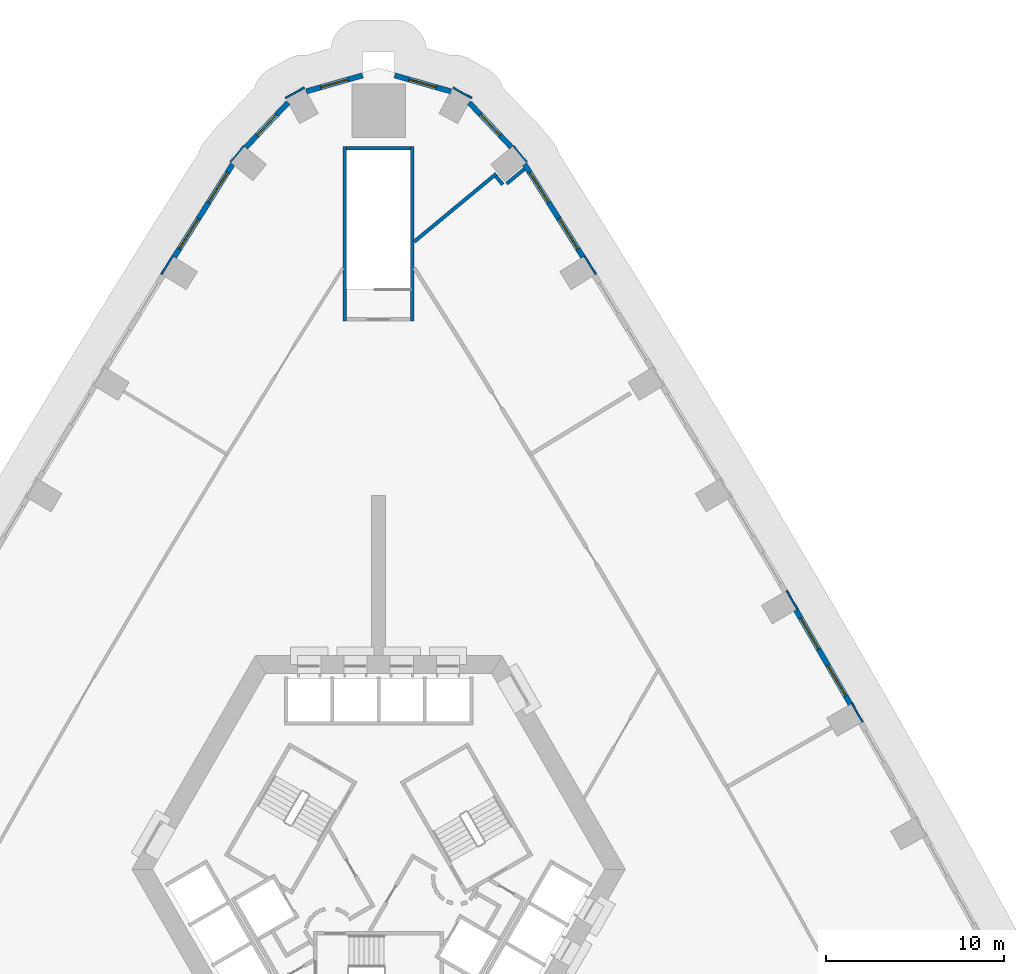
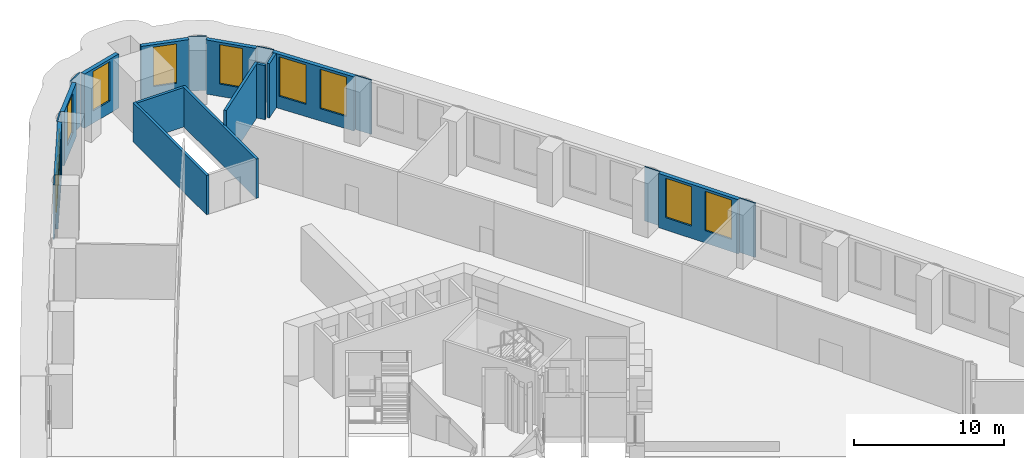
# One storey, part 8 of 15: 21 walls, 10 windows, 10 openings.
"""IFC4 building model written with IfcOpenShell, lengths in metres."""

from ifc_helpers import new_model, si_unit, direction, frame, frame_2d, origin, place, context, subcontext, project, spatial, rectangle, extrude, material, layer, layer_set, type_object, element, fill, save


model = new_model("IFC4")

# Units and contexts
model_context = context("Model", 3, precision=1e-05, world=origin(), true_north=direction((0.0, 1.0)))
body_context = subcontext(model_context, "Body", "Model", "MODEL_VIEW")
ifc_project = project(units=[si_unit("LENGTHUNIT", "METRE"), si_unit("AREAUNIT", "SQUARE_METRE"), si_unit("VOLUMEUNIT", "CUBIC_METRE"), si_unit("PLANEANGLEUNIT", "RADIAN"), si_unit("MASSUNIT", "GRAM", prefix="KILO")], contexts=[model_context])

# Site, building, storey
site_placement = place(None, origin())
site = spatial("IfcSite", under=ifc_project, at=site_placement, CompositionType="ELEMENT")
building_placement = place(site_placement, origin())
building = spatial("IfcBuilding", under=site, at=building_placement, Name="Entoto Arch Interchange Tower", CompositionType="ELEMENT")
storey_placement = place(building_placement, frame((0.0, 0.0, 30.0)))
storey = spatial("IfcBuildingStorey", under=building, at=storey_placement, Name="L05", CompositionType="ELEMENT", Elevation=30.0)

# Walls
ifc_material_1 = material(Name="Gypsum board partition on steel studs", Category="steel")
ifc_layer_1 = layer(ifc_material_1, 0.199951171875)
ifc_layer_set_1 = layer_set([ifc_layer_1], Name="Gypsum board partition on steel studs")
wall_type_1 = type_object("IfcWallType", Name="PARTITION 200", PredefinedType="PARTITIONING", material=ifc_layer_set_1)
wall_1_placement = place(storey_placement, frame((2.0, 37.758056640625, 0.0), z_axis=(0.0, 0.0, 1.0), x_axis=(0.7702988792, 0.637683022122, 0.0)))
element("IfcWall", 1, at=wall_1_placement, inside=storey, type_object=wall_type_1, Name="wall:L05:p053", PredefinedType="PARTITIONING", context=body_context, shape_type="SweptSolid", body=[
    extrude(rectangle(XDim=5.9794921875, YDim=0.199951171875, at=frame_2d((2.98974609375, 0.0))), origin(), (0.0, 0.0, 1.0), 4.39990234375),
])
wall_2_placement = place(storey_placement, frame((6.593017578125, 41.429931640625, 0.0), z_axis=(0.0, 0.0, 1.0), x_axis=(0.636576557089, -0.771213515808, 0.0)))
element("IfcWall", 2, at=wall_2_placement, inside=storey, type_object=wall_type_1, Name="wall:L05:p054", PredefinedType="PARTITIONING", context=body_context, shape_type="SweptSolid", body=[
    extrude(rectangle(XDim=0.60009765625, YDim=0.199951171875, at=frame_2d((0.300048828125, 0.0))), origin(), (0.0, 0.0, 1.0), 4.39990234375),
])
wall_3_placement = place(storey_placement, frame((7.193115234375, 41.01806640625, 0.0), z_axis=(0.0, 0.0, 1.0), x_axis=(0.77046149962, 0.637486531311, 0.0)))
element("IfcWall", 3, at=wall_3_placement, inside=storey, type_object=wall_type_1, Name="wall:L05:p055", PredefinedType="PARTITIONING", context=body_context, shape_type="SweptSolid", body=[
    extrude(rectangle(XDim=1.29248046875, YDim=0.199951171875, at=frame_2d((0.646240234375, 0.0))), origin(), (0.0, 0.0, 1.0), 4.39990234375),
])
ifc_material_2 = material(Name="Concrete C40/50", Category="concrete")
ifc_layer_2 = layer(ifc_material_2, 0.199951171875)
ifc_layer_set_2 = layer_set([ifc_layer_2], Name="Concrete C40/50")
wall_type_2 = type_object("IfcWallType", Name="STAIR ENCLOSURE WALL 200", PredefinedType="STANDARD", material=ifc_layer_set_2)
for number, where, z_axis, x_axis, name in (
    (4, (1.89990234375, 33.300048828125, 0.0), (0.0, 0.0, 1.0), (0.0, 1.0, 0.0), "Stair wall PST-N left"),
    (5, (-1.89990234375, 33.300048828125, 0.0), (0.0, 0.0, 1.0), (0.0, 1.0, 0.0), "Stair wall PST-N right"),
):
    element("IfcWall", number, at=place(storey_placement, frame(where, z_axis=z_axis, x_axis=x_axis)), inside=storey, type_object=wall_type_2, Name=name, PredefinedType="STANDARD", context=body_context, shape_type="SweptSolid", body=[
        extrude(rectangle(XDim=9.800048828125, YDim=0.199951171875, at=frame_2d((4.89990234375, 0.0))), origin(), (0.0, 0.0, 1.0), 3.199951171875),
    ])
wall_4_placement = place(storey_placement, frame((1.800048828125, 43.0, 0.0), z_axis=(0.0, 0.0, 1.0), x_axis=(-1.0, 0.0, 0.0)))
element("IfcWall", 6, at=wall_4_placement, inside=storey, type_object=wall_type_2, Name="Stair wall PST-N far", PredefinedType="STANDARD", context=body_context, shape_type="SweptSolid", body=[
    extrude(rectangle(XDim=3.60009765625, YDim=0.199951171875, at=frame_2d((1.800048828125, 0.0))), origin(), (0.0, 0.0, 1.0), 3.199951171875),
])

# Wall, openings, windows
ifc_material_3 = material(Name="Welded tuff (ignimbrite) cladding, warm buff", Category="masonry")
ifc_layer_3 = layer(ifc_material_3, 0.300048828125)
ifc_layer_set_3 = layer_set([ifc_layer_3], Name="Welded tuff (ignimbrite) cladding, warm buff")
wall_type_3 = type_object("IfcWallType", Name="STONE INFILL WALL 300", PredefinedType="STANDARD", material=ifc_layer_set_3)
wall_5_placement = place(storey_placement, frame((26.507080078125, 11.77001953125, 0.0), z_axis=(0.0, 0.0, 1.0), x_axis=(-0.499939977436, 0.866060055055, 0.0)))
wall_5 = element("IfcWall", 7, at=wall_5_placement, inside=storey, type_object=wall_type_3, Name="Facade wall NE-05 L05", PredefinedType="STANDARD", context=body_context, shape_type="SweptSolid", body=[
    extrude(rectangle(XDim=6.120849609375, YDim=0.300048828125, at=frame_2d((3.060546875, 0.0))), origin(), (0.0, 0.0, 1.0), 4.39990234375),
])
opening_1_placement = place(wall_5_placement, frame((0.530029296875, 0.0, 1.0)))
opening_1 = element("IfcOpeningElement", 8, at=opening_1_placement, cuts=wall_5, Name="Opening WP-E", PredefinedType="OPENING", context=body_context, shape_type="SweptSolid", body=[
    extrude(rectangle(XDim=2.0, YDim=3.199951171875, at=frame_2d((1.0, 1.60009765625))), frame((0.0, 0.16015625, 0.0), z_axis=(0.0, -1.0, 0.0), x_axis=(1.0, 0.0, 0.0)), (0.0, 0.0, 1.0), 0.320068359375),
])
opening_2_placement = place(wall_5_placement, frame((3.591064453125, 0.0, 1.0)))
opening_2 = element("IfcOpeningElement", 9, at=opening_2_placement, cuts=wall_5, Name="Opening WP-E", PredefinedType="OPENING", context=body_context, shape_type="SweptSolid", body=[
    extrude(rectangle(XDim=2.0, YDim=3.199951171875, at=frame_2d((1.0, 1.60009765625))), frame((0.0, 0.16015625, 0.0), z_axis=(0.0, -1.0, 0.0), x_axis=(1.0, 0.0, 0.0)), (0.0, 0.0, 1.0), 0.320068359375),
])
ifc_material_4 = material(Name="Clear glass, low-e double glazed", Category="glass")
window_type_1 = type_object("IfcWindowType", Name="WINDOW WP-E 2000x3200", PartitioningType="DOUBLE_PANEL_VERTICAL", PredefinedType="WINDOW", material=ifc_material_4)
window_1_placement = place(opening_1_placement, origin())
window_1 = element("IfcWindow", 10, at=window_1_placement, inside=storey, type_object=window_type_1, Name="Window WP-E NE-05 L05", OverallHeight=3.199951171875, OverallWidth=2.0, PartitioningType="SINGLE_PANEL", PredefinedType="WINDOW", context=body_context, shape_type="SweptSolid", body=[
    extrude(rectangle(XDim=2.0, YDim=3.199951171875, at=frame_2d((1.0, 1.60009765625))), frame((0.0, 0.030029296875, 0.0), z_axis=(0.0, -1.0, 0.0), x_axis=(1.0, 0.0, 0.0)), (0.0, 0.0, 1.0), 0.06005859375),
])
fill(opening_1, window_1)
window_2_placement = place(opening_2_placement, origin())
window_2 = element("IfcWindow", 11, at=window_2_placement, inside=storey, type_object=window_type_1, Name="Window WP-E NE-05 L05", OverallHeight=3.199951171875, OverallWidth=2.0, PartitioningType="SINGLE_PANEL", PredefinedType="WINDOW", context=body_context, shape_type="SweptSolid", body=[
    extrude(rectangle(XDim=2.0, YDim=3.199951171875, at=frame_2d((1.0, 1.60009765625))), frame((0.0, 0.030029296875, 0.0), z_axis=(0.0, -1.0, 0.0), x_axis=(1.0, 0.0, 0.0)), (0.0, 0.0, 1.0), 0.06005859375),
])
fill(opening_2, window_2)

wall_6_placement = place(storey_placement, frame((11.48291015625, 36.89697265625, 0.0), z_axis=(0.0, 0.0, 1.0), x_axis=(-0.53304020879, 0.846089910006, 0.0)))
wall_6 = element("IfcWall", 12, at=wall_6_placement, inside=storey, type_object=wall_type_3, Name="Facade wall NE-09 L05", PredefinedType="STANDARD", context=body_context, shape_type="SweptSolid", body=[
    extrude(rectangle(XDim=6.16259765625, YDim=0.300048828125, at=frame_2d((3.081298828125, 0.0))), origin(), (0.0, 0.0, 1.0), 4.39990234375),
])
opening_3_placement = place(wall_6_placement, frame((0.541015625, 0.0, 1.0)))
opening_3 = element("IfcOpeningElement", 13, at=opening_3_placement, cuts=wall_6, Name="Opening WP-E", PredefinedType="OPENING", context=body_context, shape_type="SweptSolid", body=[
    extrude(rectangle(XDim=2.0, YDim=3.199951171875, at=frame_2d((1.0, 1.60009765625))), frame((0.0, 0.16015625, 0.0), z_axis=(0.0, -1.0, 0.0), x_axis=(1.0, 0.0, 0.0)), (0.0, 0.0, 1.0), 0.320068359375),
])
opening_4_placement = place(wall_6_placement, frame((3.6220703125, 0.0, 1.0)))
opening_4 = element("IfcOpeningElement", 14, at=opening_4_placement, cuts=wall_6, Name="Opening WP-E", PredefinedType="OPENING", context=body_context, shape_type="SweptSolid", body=[
    extrude(rectangle(XDim=2.0, YDim=3.199951171875, at=frame_2d((1.0, 1.60009765625))), frame((0.0, 0.16015625, 0.0), z_axis=(0.0, -1.0, 0.0), x_axis=(1.0, 0.0, 0.0)), (0.0, 0.0, 1.0), 0.320068359375),
])
window_3_placement = place(opening_3_placement, origin())
window_3 = element("IfcWindow", 15, at=window_3_placement, inside=storey, type_object=window_type_1, Name="Window WP-E NE-09 L05", OverallHeight=3.199951171875, OverallWidth=2.0, PartitioningType="SINGLE_PANEL", PredefinedType="WINDOW", context=body_context, shape_type="SweptSolid", body=[
    extrude(rectangle(XDim=2.0, YDim=3.199951171875, at=frame_2d((1.0, 1.60009765625))), frame((0.0, 0.030029296875, 0.0), z_axis=(0.0, -1.0, 0.0), x_axis=(1.0, 0.0, 0.0)), (0.0, 0.0, 1.0), 0.06005859375),
])
fill(opening_3, window_3)
window_4_placement = place(opening_4_placement, origin())
window_4 = element("IfcWindow", 16, at=window_4_placement, inside=storey, type_object=window_type_1, Name="Window WP-E NE-09 L05", OverallHeight=3.199951171875, OverallWidth=2.0, PartitioningType="SINGLE_PANEL", PredefinedType="WINDOW", context=body_context, shape_type="SweptSolid", body=[
    extrude(rectangle(XDim=2.0, YDim=3.199951171875, at=frame_2d((1.0, 1.60009765625))), frame((0.0, 0.030029296875, 0.0), z_axis=(0.0, -1.0, 0.0), x_axis=(1.0, 0.0, 0.0)), (0.0, 0.0, 1.0), 0.06005859375),
])
fill(opening_4, window_4)

# Wall, opening, window
wall_7_placement = place(storey_placement, frame((7.464111328125, 43.05810546875, 0.0), z_axis=(0.0, 0.0, 1.0), x_axis=(-0.687081126245, 0.726580708495, 0.0)))
wall_7 = element("IfcWall", 17, at=wall_7_placement, inside=storey, type_object=wall_type_3, Name="Facade wall N-01 L05", PredefinedType="STANDARD", context=body_context, shape_type="SweptSolid", body=[
    extrude(rectangle(XDim=3.461181640625, YDim=0.300048828125, at=frame_2d((1.73046875, 0.0))), origin(), (0.0, 0.0, 1.0), 4.39990234375),
])
opening_5_placement = place(wall_7_placement, frame((0.930908203125, 0.0, 1.0)))
opening_5 = element("IfcOpeningElement", 18, at=opening_5_placement, cuts=wall_7, Name="Opening WP-C", PredefinedType="OPENING", context=body_context, shape_type="SweptSolid", body=[
    extrude(rectangle(XDim=1.60009765625, YDim=3.199951171875, at=frame_2d((0.800048828125, 1.60009765625))), frame((0.0, 0.16015625, 0.0), z_axis=(0.0, -1.0, 0.0), x_axis=(1.0, 0.0, 0.0)), (0.0, 0.0, 1.0), 0.320068359375),
])
window_type_2 = type_object("IfcWindowType", Name="WINDOW WP-C 1600x3200", PartitioningType="DOUBLE_PANEL_VERTICAL", PredefinedType="WINDOW", material=ifc_material_4)
window_5_placement = place(opening_5_placement, origin())
window_5 = element("IfcWindow", 19, at=window_5_placement, inside=storey, type_object=window_type_2, Name="Window WP-C N-01 L05", OverallHeight=3.199951171875, OverallWidth=1.60009765625, PartitioningType="SINGLE_PANEL", PredefinedType="WINDOW", context=body_context, shape_type="SweptSolid", body=[
    extrude(rectangle(XDim=1.60009765625, YDim=3.199951171875, at=frame_2d((0.800048828125, 1.60009765625))), frame((0.0, 0.030029296875, 0.0), z_axis=(0.0, -1.0, 0.0), x_axis=(1.0, 0.0, 0.0)), (0.0, 0.0, 1.0), 0.06005859375),
])
fill(opening_5, window_5)

wall_8_placement = place(storey_placement, frame((4.06396484375, 46.201904296875, 0.0), z_axis=(0.0, 0.0, 1.0), x_axis=(-0.961934470867, 0.273280211062, 0.0)))
wall_8 = element("IfcWall", 20, at=wall_8_placement, inside=storey, type_object=wall_type_3, Name="Facade wall N-02 L05", PredefinedType="STANDARD", context=body_context, shape_type="SweptSolid", body=[
    extrude(rectangle(XDim=3.290283203125, YDim=0.300048828125, at=frame_2d((1.64501953125, 0.0))), origin(), (0.0, 0.0, 1.0), 4.39990234375),
])
opening_6_placement = place(wall_8_placement, frame((0.844970703125, 0.0, 1.0)))
opening_6 = element("IfcOpeningElement", 21, at=opening_6_placement, cuts=wall_8, Name="Opening WP-C", PredefinedType="OPENING", context=body_context, shape_type="SweptSolid", body=[
    extrude(rectangle(XDim=1.60009765625, YDim=3.199951171875, at=frame_2d((0.800048828125, 1.60009765625))), frame((0.0, 0.16015625, 0.0), z_axis=(0.0, -1.0, 0.0), x_axis=(1.0, 0.0, 0.0)), (0.0, 0.0, 1.0), 0.320068359375),
])
window_6_placement = place(opening_6_placement, origin())
window_6 = element("IfcWindow", 22, at=window_6_placement, inside=storey, type_object=window_type_2, Name="Window WP-C N-02 L05", OverallHeight=3.199951171875, OverallWidth=1.60009765625, PartitioningType="SINGLE_PANEL", PredefinedType="WINDOW", context=body_context, shape_type="SweptSolid", body=[
    extrude(rectangle(XDim=1.60009765625, YDim=3.199951171875, at=frame_2d((0.800048828125, 1.60009765625))), frame((0.0, 0.030029296875, 0.0), z_axis=(0.0, -1.0, 0.0), x_axis=(1.0, 0.0, 0.0)), (0.0, 0.0, 1.0), 0.06005859375),
])
fill(opening_6, window_6)

wall_9_placement = place(storey_placement, frame((-0.89892578125, 47.10107421875, 0.0), z_axis=(0.0, 0.0, 1.0), x_axis=(-0.961934470867, -0.273280211062, 0.0)))
wall_9 = element("IfcWall", 23, at=wall_9_placement, inside=storey, type_object=wall_type_3, Name="Facade wall N-03 L05", PredefinedType="STANDARD", context=body_context, shape_type="SweptSolid", body=[
    extrude(rectangle(XDim=3.290283203125, YDim=0.300048828125, at=frame_2d((1.64501953125, 0.0))), origin(), (0.0, 0.0, 1.0), 4.39990234375),
])
opening_7_placement = place(wall_9_placement, frame((0.844970703125, 0.0, 1.0)))
opening_7 = element("IfcOpeningElement", 24, at=opening_7_placement, cuts=wall_9, Name="Opening WP-C", PredefinedType="OPENING", context=body_context, shape_type="SweptSolid", body=[
    extrude(rectangle(XDim=1.60009765625, YDim=3.199951171875, at=frame_2d((0.800048828125, 1.60009765625))), frame((0.0, 0.16015625, 0.0), z_axis=(0.0, -1.0, 0.0), x_axis=(1.0, 0.0, 0.0)), (0.0, 0.0, 1.0), 0.320068359375),
])
window_7_placement = place(opening_7_placement, origin())
window_7 = element("IfcWindow", 25, at=window_7_placement, inside=storey, type_object=window_type_2, Name="Window WP-C N-03 L05", OverallHeight=3.199951171875, OverallWidth=1.60009765625, PartitioningType="SINGLE_PANEL", PredefinedType="WINDOW", context=body_context, shape_type="SweptSolid", body=[
    extrude(rectangle(XDim=1.60009765625, YDim=3.199951171875, at=frame_2d((0.800048828125, 1.60009765625))), frame((0.0, 0.030029296875, 0.0), z_axis=(0.0, -1.0, 0.0), x_axis=(1.0, 0.0, 0.0)), (0.0, 0.0, 1.0), 0.06005859375),
])
fill(opening_7, window_7)

wall_10_placement = place(storey_placement, frame((-5.0859375, 45.572998046875, 0.0), z_axis=(0.0, 0.0, 1.0), x_axis=(-0.687081126245, -0.726580708495, 0.0)))
wall_10 = element("IfcWall", 26, at=wall_10_placement, inside=storey, type_object=wall_type_3, Name="Facade wall N-04 L05", PredefinedType="STANDARD", context=body_context, shape_type="SweptSolid", body=[
    extrude(rectangle(XDim=3.461181640625, YDim=0.300048828125, at=frame_2d((1.73046875, 0.0))), origin(), (0.0, 0.0, 1.0), 4.39990234375),
])
opening_8_placement = place(wall_10_placement, frame((0.930908203125, 0.0, 1.0)))
opening_8 = element("IfcOpeningElement", 27, at=opening_8_placement, cuts=wall_10, Name="Opening WP-C", PredefinedType="OPENING", context=body_context, shape_type="SweptSolid", body=[
    extrude(rectangle(XDim=1.60009765625, YDim=3.199951171875, at=frame_2d((0.800048828125, 1.60009765625))), frame((0.0, 0.16015625, 0.0), z_axis=(0.0, -1.0, 0.0), x_axis=(1.0, 0.0, 0.0)), (0.0, 0.0, 1.0), 0.320068359375),
])
window_8_placement = place(opening_8_placement, origin())
window_8 = element("IfcWindow", 28, at=window_8_placement, inside=storey, type_object=window_type_2, Name="Window WP-C N-04 L05", OverallHeight=3.199951171875, OverallWidth=1.60009765625, PartitioningType="SINGLE_PANEL", PredefinedType="WINDOW", context=body_context, shape_type="SweptSolid", body=[
    extrude(rectangle(XDim=1.60009765625, YDim=3.199951171875, at=frame_2d((0.800048828125, 1.60009765625))), frame((0.0, 0.030029296875, 0.0), z_axis=(0.0, -1.0, 0.0), x_axis=(1.0, 0.0, 0.0)), (0.0, 0.0, 1.0), 0.06005859375),
])
fill(opening_8, window_8)

# Wall, openings, windows
wall_11_placement = place(storey_placement, frame((-8.197998046875, 42.111083984375, 0.0), z_axis=(0.0, 0.0, 1.0), x_axis=(-0.53304020879, -0.846089910006, 0.0)))
wall_11 = element("IfcWall", 29, at=wall_11_placement, inside=storey, type_object=wall_type_3, Name="Facade wall NW-01 L05", PredefinedType="STANDARD", context=body_context, shape_type="SweptSolid", body=[
    extrude(rectangle(XDim=6.16259765625, YDim=0.300048828125, at=frame_2d((3.081298828125, 0.0))), origin(), (0.0, 0.0, 1.0), 4.39990234375),
])
opening_9_placement = place(wall_11_placement, frame((0.541015625, 0.0, 1.0)))
opening_9 = element("IfcOpeningElement", 30, at=opening_9_placement, cuts=wall_11, Name="Opening WP-E", PredefinedType="OPENING", context=body_context, shape_type="SweptSolid", body=[
    extrude(rectangle(XDim=2.0, YDim=3.199951171875, at=frame_2d((1.0, 1.60009765625))), frame((0.0, 0.16015625, 0.0), z_axis=(0.0, -1.0, 0.0), x_axis=(1.0, 0.0, 0.0)), (0.0, 0.0, 1.0), 0.320068359375),
])
opening_10_placement = place(wall_11_placement, frame((3.6220703125, 0.0, 1.0)))
opening_10 = element("IfcOpeningElement", 31, at=opening_10_placement, cuts=wall_11, Name="Opening WP-E", PredefinedType="OPENING", context=body_context, shape_type="SweptSolid", body=[
    extrude(rectangle(XDim=2.0, YDim=3.199951171875, at=frame_2d((1.0, 1.60009765625))), frame((0.0, 0.16015625, 0.0), z_axis=(0.0, -1.0, 0.0), x_axis=(1.0, 0.0, 0.0)), (0.0, 0.0, 1.0), 0.320068359375),
])
window_9_placement = place(opening_9_placement, origin())
window_9 = element("IfcWindow", 32, at=window_9_placement, inside=storey, type_object=window_type_1, Name="Window WP-E NW-01 L05", OverallHeight=3.199951171875, OverallWidth=2.0, PartitioningType="SINGLE_PANEL", PredefinedType="WINDOW", context=body_context, shape_type="SweptSolid", body=[
    extrude(rectangle(XDim=2.0, YDim=3.199951171875, at=frame_2d((1.0, 1.60009765625))), frame((0.0, 0.030029296875, 0.0), z_axis=(0.0, -1.0, 0.0), x_axis=(1.0, 0.0, 0.0)), (0.0, 0.0, 1.0), 0.06005859375),
])
fill(opening_9, window_9)
window_10_placement = place(opening_10_placement, origin())
window_10 = element("IfcWindow", 33, at=window_10_placement, inside=storey, type_object=window_type_1, Name="Window WP-E NW-01 L05", OverallHeight=3.199951171875, OverallWidth=2.0, PartitioningType="SINGLE_PANEL", PredefinedType="WINDOW", context=body_context, shape_type="SweptSolid", body=[
    extrude(rectangle(XDim=2.0, YDim=3.199951171875, at=frame_2d((1.0, 1.60009765625))), frame((0.0, 0.030029296875, 0.0), z_axis=(0.0, -1.0, 0.0), x_axis=(1.0, 0.0, 0.0)), (0.0, 0.0, 1.0), 0.06005859375),
])
fill(opening_10, window_10)

# Walls
ifc_layer_4 = layer(ifc_material_3, 0.10009765625)
ifc_layer_set_4 = layer_set([ifc_layer_4], Name="Welded tuff (ignimbrite) cladding, warm buff")
wall_type_4 = type_object("IfcWallType", Name="STONE PIER CLADDING 100", PredefinedType="STANDARD", material=ifc_layer_set_4)
for number, where, z_axis, x_axis, name in (
    (34, (5.23095703125, 45.8369140625, 0.0), (0.0, 0.0, 1.0), (-0.877069725045, 0.480363089141, 0.0), "Stone pier N1 L05"),
    (35, (-4.178955078125, 46.4130859375, 0.0), (0.0, 0.0, 1.0), (-0.877069725045, -0.480363089141, 0.0), "Stone pier N3 L05"),
):
    element("IfcWall", number, at=place(storey_placement, frame(where, z_axis=z_axis, x_axis=x_axis)), inside=storey, type_object=wall_type_4, Name=name, PredefinedType="STANDARD", context=body_context, shape_type="SweptSolid", body=[
        extrude(rectangle(XDim=1.199462890625, YDim=0.10009765625, at=frame_2d((0.599609375, 0.0))), origin(), (0.0, 0.0, 1.0), 4.39990234375),
    ])
wall_12_placement = place(storey_placement, frame((27.19091796875, 10.780029296875, 0.0), z_axis=(0.0, 0.0, 1.0), x_axis=(-0.495854054996, 0.868405870629, 0.0)))
element("IfcWall", 36, at=wall_12_placement, inside=storey, type_object=wall_type_4, Name="Stone pier NE05 L05", PredefinedType="STANDARD", context=body_context, shape_type="SweptSolid", body=[
    extrude(rectangle(XDim=1.199951171875, YDim=0.10009765625, at=frame_2d((0.60009765625, 0.0))), origin(), (0.0, 0.0, 1.0), 4.39990234375),
])
wall_13_placement = place(storey_placement, frame((23.535888671875, 17.1220703125, 0.0), z_axis=(0.0, 0.0, 1.0), x_axis=(-0.504313844903, 0.863520437418, 0.0)))
element("IfcWall", 37, at=wall_13_placement, inside=storey, type_object=wall_type_4, Name="Stone pier NE06 L05", PredefinedType="STANDARD", context=body_context, shape_type="SweptSolid", body=[
    extrude(rectangle(XDim=1.19970703125, YDim=0.10009765625, at=frame_2d((0.599853515625, 0.0))), origin(), (0.0, 0.0, 1.0), 4.39990234375),
])
for number, where, z_axis, x_axis, name in (
    (38, (12.2060546875, 35.93505859375, 0.0), (0.0, 0.0, 1.0), (-0.530273374944, 0.847826720401, 0.0), "Stone pier NE09 L05"),
    (39, (8.3359375, 42.22412109375, 0.0), (0.0, 0.0, 1.0), (-0.637738500874, 0.77025294839, 0.0), "Stone pier NE10 L05"),
    (40, (-7.571044921875, 43.14794921875, 0.0), (0.0, 0.0, 1.0), (-0.637738500874, -0.77025294839, 0.0), "Stone pier NW01 L05"),
    (41, (-11.570068359375, 36.951904296875, 0.0), (0.0, 0.0, 1.0), (-0.530273374944, -0.847826720401, 0.0), "Stone pier NW02 L05"),
):
    element("IfcWall", number, at=place(storey_placement, frame(where, z_axis=z_axis, x_axis=x_axis)), inside=storey, type_object=wall_type_4, Name=name, PredefinedType="STANDARD", context=body_context, shape_type="SweptSolid", body=[
        extrude(rectangle(XDim=1.199462890625, YDim=0.10009765625, at=frame_2d((0.599609375, 0.0))), origin(), (0.0, 0.0, 1.0), 4.39990234375),
    ])

save(model, "model.ifc")
